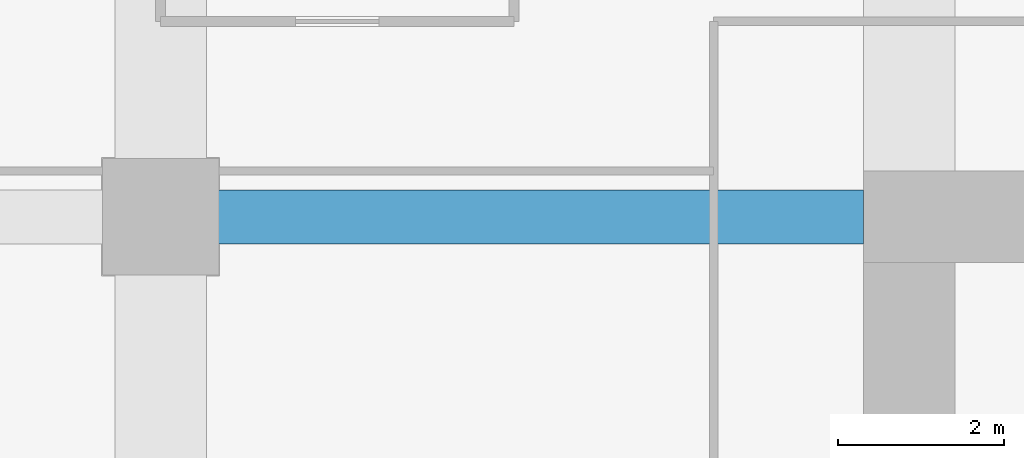
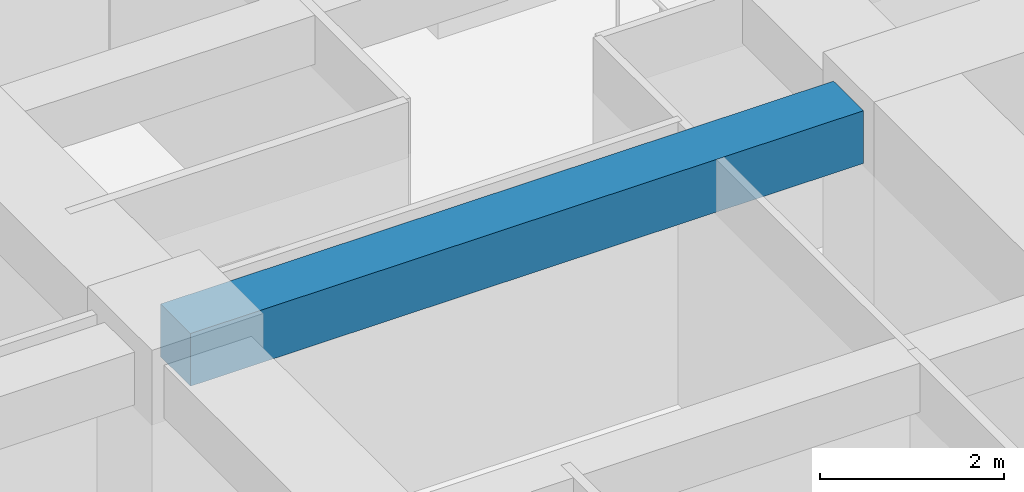
# One storey, part 21 of 32: 1 beam.
"""IFC4 building model written with IfcOpenShell, lengths in metres."""

from ifc_helpers import new_model, si_unit, direction, frame, origin, origin_2d, place, context, subcontext, project, spatial, rectangle, extrude, material, material_profile, profile_set, type_object, element, save


model = new_model("IFC4")

# Units and contexts
model_context = context("Model", 3, precision=1e-05, world=origin(), true_north=direction((0.0, 1.0)))
body_context = subcontext(model_context, "Body", "Model", "MODEL_VIEW")
ifc_project = project(units=[si_unit("LENGTHUNIT", "METRE"), si_unit("AREAUNIT", "SQUARE_METRE"), si_unit("VOLUMEUNIT", "CUBIC_METRE"), si_unit("PLANEANGLEUNIT", "RADIAN"), si_unit("MASSUNIT", "GRAM", prefix="KILO")], contexts=[model_context])

# Site, building, storey
site_placement = place(None, origin())
site = spatial("IfcSite", under=ifc_project, at=site_placement, CompositionType="ELEMENT")
building_placement = place(site_placement, origin())
building = spatial("IfcBuilding", under=site, at=building_placement, Name="Zorevar Civic Tower", CompositionType="ELEMENT")
storey_placement = place(building_placement, frame((0.0, 0.0, 198.199951171875)))
storey = spatial("IfcBuildingStorey", under=building, at=storey_placement, Name="L48", CompositionType="ELEMENT", Elevation=198.199951171875)

# Beam
ifc_material = material(Name="Concrete C50/60", Category="concrete")
ifc_material_profile = material_profile(ifc_material, rectangle(XDim=0.64990234375, YDim=0.699951171875, at=origin_2d()), Name="RC 650x700")
ifc_profile_set = profile_set([ifc_material_profile], Name="Concrete C50/60")
beam_type = type_object("IfcBeamType", Name="Beam RC 650x700", PredefinedType="BEAM", material=ifc_profile_set)
beam_placement = place(storey_placement, frame((9.0, 36.0, 3.400146484375), z_axis=(1.0, 0.0, 0.0), x_axis=(0.0, 1.0, 0.0)))
element("IfcBeam", 1, at=beam_placement, inside=storey, type_object=beam_type, Name="Girder L49", PredefinedType="BEAM", context=body_context, shape_type="SweptSolid", body=[
    extrude(rectangle(XDim=0.64990234375, YDim=0.699951171875, at=origin_2d()), origin(), (0.0, 0.0, 1.0), 8.449951171875),
])

save(model, "model.ifc")
